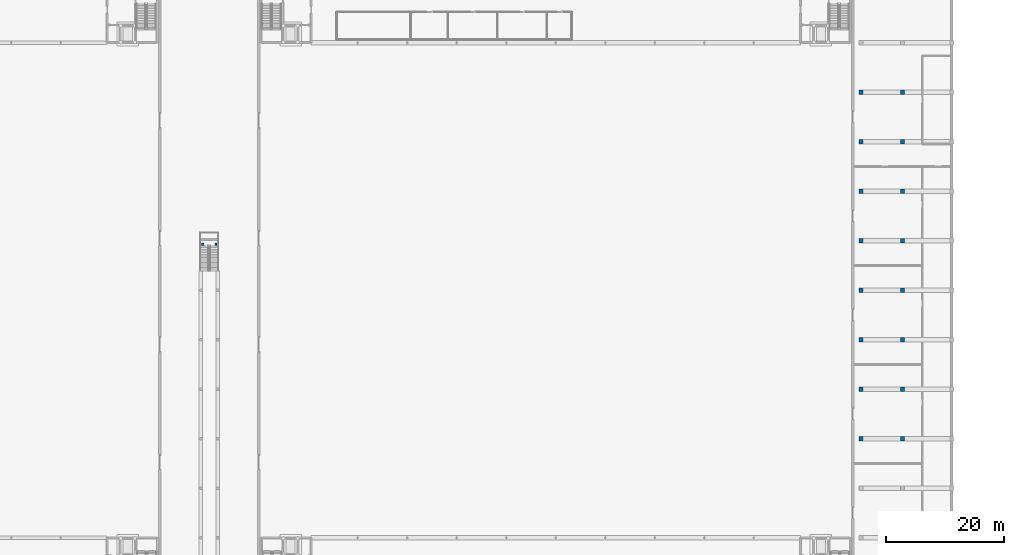
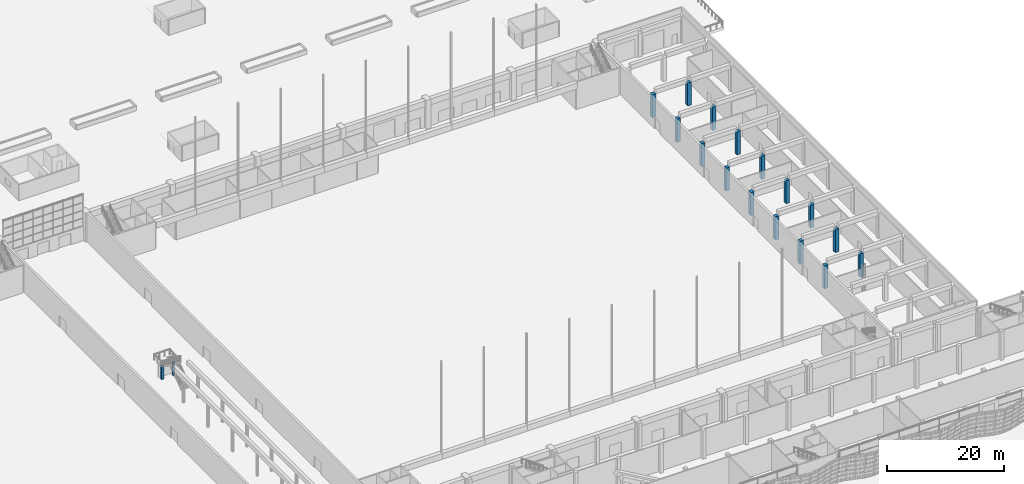
# One storey, part 19 of 210: 18 columns.
"""IFC4 building model written with IfcOpenShell, lengths in metres."""

from ifc_helpers import new_model, si_unit, direction, frame, origin, origin_2d, place, context, subcontext, project, spatial, rectangle, extrude, material, material_profile, profile_set, type_object, element, save


model = new_model("IFC4")

# Units and contexts
model_context = context("Model", 3, precision=1e-05, world=origin(), true_north=direction((0.0, 1.0)))
body_context = subcontext(model_context, "Body", "Model", "MODEL_VIEW")
ifc_project = project(units=[si_unit("LENGTHUNIT", "METRE"), si_unit("AREAUNIT", "SQUARE_METRE"), si_unit("VOLUMEUNIT", "CUBIC_METRE"), si_unit("PLANEANGLEUNIT", "RADIAN"), si_unit("MASSUNIT", "GRAM", prefix="KILO")], contexts=[model_context])

# Site, building, storey
site_placement = place(None, origin())
site = spatial("IfcSite", under=ifc_project, at=site_placement, CompositionType="ELEMENT")
building_placement = place(site_placement, origin())
building = spatial("IfcBuilding", under=site, at=building_placement, Name="Rain Tree Exposition and Congress Centre", CompositionType="ELEMENT")
storey_placement = place(building_placement, origin())
storey = spatial("IfcBuildingStorey", under=building, at=storey_placement, Name="L00", CompositionType="ELEMENT", Elevation=0.0)

# Columns
ifc_material_1 = material(Name="Precast concrete C50/60", Category="concrete")
ifc_material_profile_1 = material_profile(ifc_material_1, rectangle(XDim=0.39990234375, YDim=0.39990234375, at=origin_2d()), Name="RC 400x400")
ifc_profile_set_1 = profile_set([ifc_material_profile_1], Name="Precast concrete C50/60")
column_type_1 = type_object("IfcColumnType", Name="Precast column 400x400", PredefinedType="COLUMN", material=ifc_profile_set_1)
for number, where, z_axis, x_axis, name in (
    (1, (133.300048828125, 159.0, 0.0), (0.0, 0.0, 1.0), (1.0, 0.0, 0.0), "Link stair landing column 1"),
    (2, (135.550048828125, 159.0, 0.0), (0.0, 0.0, 1.0), (1.0, 0.0, 0.0), "Link stair landing column 2"),
):
    element("IfcColumn", number, at=place(storey_placement, frame(where, z_axis=z_axis, x_axis=x_axis)), inside=storey, type_object=column_type_1, Name=name, PredefinedType="COLUMN", context=body_context, shape_type="SweptSolid", body=[
        extrude(rectangle(XDim=0.39990234375, YDim=0.39990234375, at=origin_2d()), origin(), (0.0, 0.0, 1.0), 2.800048828125),
    ])
ifc_material_2 = material(Name="Precast concrete C50/60", Category="concrete")
ifc_material_profile_2 = material_profile(ifc_material_2, rectangle(XDim=0.699951171875, YDim=0.699951171875, at=origin_2d()), Name="RC 700x700")
ifc_profile_set_2 = profile_set([ifc_material_profile_2], Name="Precast concrete C50/60")
column_type_2 = type_object("IfcColumnType", Name="Precast column 700x700", PredefinedType="COLUMN", material=ifc_profile_set_2)
for number, where, z_axis, x_axis, name in (
    (3, (245.0, 126.0, 0.0), (0.0, 0.0, 1.0), (1.0, 0.0, 0.0), "Service block column 4"),
    (4, (245.0, 134.39990234375, 0.0), (0.0, 0.0, 1.0), (1.0, 0.0, 0.0), "Service block column 5"),
    (5, (245.0, 142.800048828125, 0.0), (0.0, 0.0, 1.0), (1.0, 0.0, 0.0), "Service block column 6"),
    (6, (245.0, 151.199951171875, 0.0), (0.0, 0.0, 1.0), (1.0, 0.0, 0.0), "Service block column 7"),
    (7, (245.0, 159.60009765625, 0.0), (0.0, 0.0, 1.0), (1.0, 0.0, 0.0), "Service block column 8"),
    (8, (245.0, 168.0, 0.0), (0.0, 0.0, 1.0), (1.0, 0.0, 0.0), "Service block column 9"),
    (9, (245.0, 176.39990234375, 0.0), (0.0, 0.0, 1.0), (1.0, 0.0, 0.0), "Service block column 10"),
    (10, (245.0, 184.800048828125, 0.0), (0.0, 0.0, 1.0), (1.0, 0.0, 0.0), "Service block column 11"),
    (11, (252.0, 126.0, 0.0), (0.0, 0.0, 1.0), (1.0, 0.0, 0.0), "Service block column 17"),
    (12, (252.0, 134.39990234375, 0.0), (0.0, 0.0, 1.0), (1.0, 0.0, 0.0), "Service block column 18"),
    (13, (252.0, 142.800048828125, 0.0), (0.0, 0.0, 1.0), (1.0, 0.0, 0.0), "Service block column 19"),
    (14, (252.0, 151.199951171875, 0.0), (0.0, 0.0, 1.0), (1.0, 0.0, 0.0), "Service block column 20"),
    (15, (252.0, 159.60009765625, 0.0), (0.0, 0.0, 1.0), (1.0, 0.0, 0.0), "Service block column 21"),
    (16, (252.0, 168.0, 0.0), (0.0, 0.0, 1.0), (1.0, 0.0, 0.0), "Service block column 22"),
    (17, (252.0, 176.39990234375, 0.0), (0.0, 0.0, 1.0), (1.0, 0.0, 0.0), "Service block column 23"),
    (18, (252.0, 184.800048828125, 0.0), (0.0, 0.0, 1.0), (1.0, 0.0, 0.0), "Service block column 24"),
):
    element("IfcColumn", number, at=place(storey_placement, frame(where, z_axis=z_axis, x_axis=x_axis)), inside=storey, type_object=column_type_2, Name=name, PredefinedType="COLUMN", context=body_context, shape_type="SweptSolid", body=[
        extrude(rectangle(XDim=0.699951171875, YDim=0.699951171875, at=origin_2d()), origin(), (0.0, 0.0, 1.0), 4.800048828125),
    ])

save(model, "model.ifc")
